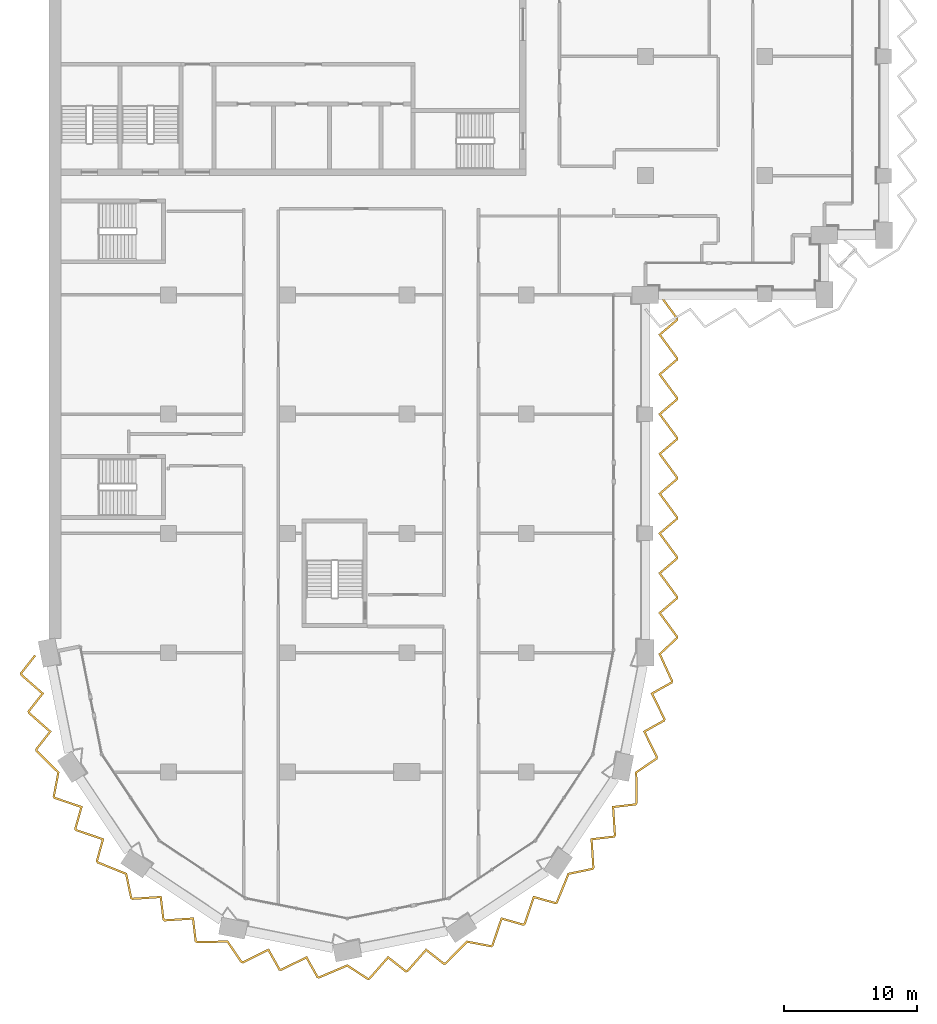
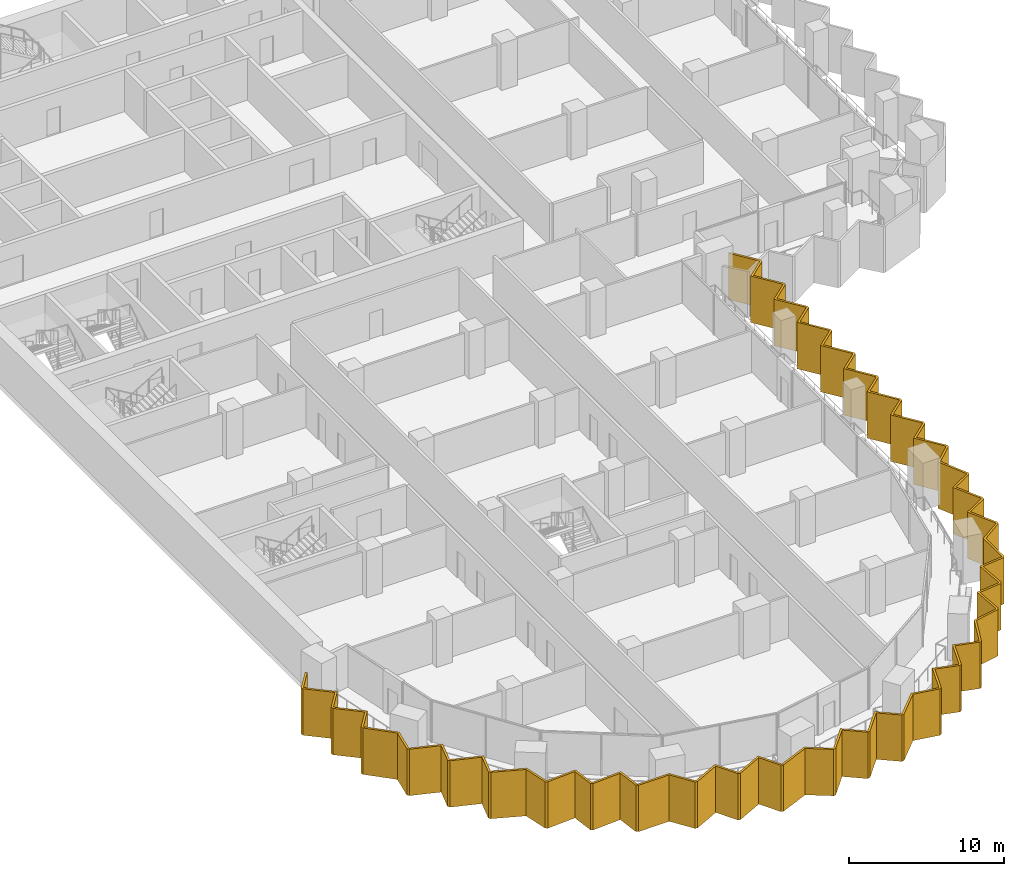
# One storey, part 18 of 22: 1 shading device.
"""IFC4 building model written with IfcOpenShell, lengths in metres."""

from ifc_helpers import new_model, si_unit, direction, frame, origin, place, context, subcontext, project, spatial, polyline, outline, extrude, material, layer, layer_set, type_object, element, save


model = new_model("IFC4")

# Units and contexts
model_context = context("Model", 3, precision=1e-05, world=origin(), true_north=direction((0.0, 1.0)))
body_context = subcontext(model_context, "Body", "Model", "MODEL_VIEW")
ifc_project = project(units=[si_unit("LENGTHUNIT", "METRE"), si_unit("AREAUNIT", "SQUARE_METRE"), si_unit("VOLUMEUNIT", "CUBIC_METRE"), si_unit("PLANEANGLEUNIT", "RADIAN"), si_unit("MASSUNIT", "GRAM", prefix="KILO")], contexts=[model_context])

# Site, building, storey
site_placement = place(None, origin())
site = spatial("IfcSite", under=ifc_project, at=site_placement, CompositionType="ELEMENT")
building_placement = place(site_placement, origin())
building = spatial("IfcBuilding", under=site, at=building_placement, Name="Hunhe Ridgeline Campus", CompositionType="ELEMENT")
storey_placement = place(building_placement, frame((0.0, 0.0, 156.0)))
storey = spatial("IfcBuildingStorey", under=building, at=storey_placement, Name="L39", CompositionType="ELEMENT", Elevation=156.0)

# Shading device
ifc_material = material(Name="Concrete C50", Category="concrete")
ifc_layer = layer(ifc_material, 0.14990234375)
ifc_layer_set = layer_set([ifc_layer], Name="Sawtooth concrete fin 150 Concrete C50")
shading_device_type = type_object("IfcShadingDeviceType", Name="Sawtooth concrete fin 150 Concrete C50", PredefinedType="USERDEFINED", material=ifc_layer_set)
shading_device_placement = place(storey_placement, frame((0.0, 0.0, -0.949951171875)))
element("IfcShadingDevice", 1, at=shading_device_placement, inside=storey, type_object=shading_device_type, Name="Concrete fin screen 1", ObjectType="FIN", PredefinedType="USERDEFINED", context=body_context, shape_type="SweptSolid", body=[
    extrude(outline(polyline([(-0.995361328125, 26.743896484375), (-1.11328125, 26.836669921875), (-2.193359375, 25.468017578125), (-2.158203125, 25.29150390625), (-0.58642578125, 23.91064453125), (-1.622314453125, 22.597900390625), (-1.587158203125, 22.421142578125), (-0.015380859375, 21.04052734375), (-1.051513671875, 19.727783203125), (-1.016845703125, 19.553466796875), (0.618896484375, 17.94482421875), (0.27490234375, 16.131591796875), (0.372802734375, 15.985107421875), (2.353271484375, 15.31103515625), (1.8984375, 13.70166015625), (1.99853515625, 13.552001953125), (3.97900390625, 12.8779296875), (3.524169921875, 11.2685546875), (3.623046875, 11.120849609375), (5.749755859375, 10.260498046875), (6.125732421875, 8.45361328125), (6.272216796875, 8.35595703125), (8.35986328125, 8.490966796875), (8.5556640625, 6.830078125), (8.705322265625, 6.72998046875), (10.79296875, 6.865234375), (10.989013671875, 5.204345703125), (11.13671875, 5.105712890625), (13.4306640625, 5.124755859375), (14.469482421875, 3.599365234375), (14.642333984375, 3.56494140625), (16.519287109375, 4.48876953125), (17.3359375, 3.029296875), (17.512451171875, 2.994140625), (19.389404296875, 3.91796875), (20.2060546875, 2.458251953125), (20.38037109375, 2.423583984375), (22.492431640625, 3.3193359375), (24.035888671875, 2.3076171875), (24.20849609375, 2.341796875), (25.58935546875, 3.91357421875), (26.902099609375, 2.877685546875), (27.078857421875, 2.912841796875), (28.45947265625, 4.484619140625), (29.772216796875, 3.448486328125), (29.946533203125, 3.483154296875), (31.55517578125, 5.118896484375), (33.368408203125, 4.77490234375), (33.514892578125, 4.872802734375), (34.18896484375, 6.853271484375), (35.79833984375, 6.3984375), (35.947998046875, 6.49853515625), (36.6220703125, 8.47900390625), (38.2314453125, 8.024169921875), (38.379150390625, 8.123046875), (39.239501953125, 10.249755859375), (41.04638671875, 10.625732421875), (41.14404296875, 10.772216796875), (41.009033203125, 12.85986328125), (42.669921875, 13.0556640625), (42.77001953125, 13.205322265625), (42.634765625, 15.29296875), (44.295654296875, 15.489013671875), (44.394287109375, 15.63671875), (44.375244140625, 17.9306640625), (45.900634765625, 18.969482421875), (45.93505859375, 19.142333984375), (45.01123046875, 21.019287109375), (46.470703125, 21.8359375), (46.505859375, 22.012451171875), (45.58203125, 23.889404296875), (47.041748046875, 24.7060546875), (47.07666015625, 24.88134765625), (46.16552734375, 26.876220703125), (47.449951171875, 28.07666015625), (47.449951171875, 28.25390625), (46.1767578125, 29.98828125), (47.449951171875, 31.07470703125), (47.449951171875, 31.25390625), (46.1767578125, 32.98828125), (47.449951171875, 34.07470703125), (47.449951171875, 34.25390625), (46.1767578125, 35.98828125), (47.449951171875, 37.07470703125), (47.449951171875, 37.25390625), (46.1767578125, 38.98828125), (47.449951171875, 40.07470703125), (47.449951171875, 40.25390625), (46.1767578125, 41.98828125), (47.449951171875, 43.07470703125), (47.449951171875, 43.25390625), (46.1767578125, 44.98828125), (47.449951171875, 46.07470703125), (47.449951171875, 46.25390625), (46.1767578125, 47.98828125), (47.449951171875, 49.07470703125), (47.449951171875, 49.25390625), (46.1767578125, 50.98828125), (47.449951171875, 52.07470703125), (47.449951171875, 52.25390625), (46.135498046875, 54.04443359375), (46.0146484375, 53.95556640625), (47.300048828125, 52.204833984375), (47.300048828125, 52.143798828125), (45.973388671875, 51.01171875), (47.300048828125, 49.204833984375), (47.300048828125, 49.143798828125), (45.973388671875, 48.01171875), (47.300048828125, 46.204833984375), (47.300048828125, 46.143798828125), (45.973388671875, 45.01171875), (47.300048828125, 43.204833984375), (47.300048828125, 43.143798828125), (45.973388671875, 42.01171875), (47.300048828125, 40.204833984375), (47.300048828125, 40.143798828125), (45.973388671875, 39.01171875), (47.300048828125, 37.204833984375), (47.300048828125, 37.143798828125), (45.973388671875, 36.01171875), (47.300048828125, 34.204833984375), (47.300048828125, 34.143798828125), (45.973388671875, 33.01171875), (47.300048828125, 31.204833984375), (47.300048828125, 31.143798828125), (45.973388671875, 30.01171875), (47.300048828125, 28.204833984375), (47.300048828125, 28.141845703125), (45.984375, 26.912109375), (46.919921875, 24.863037109375), (46.907958984375, 24.80322265625), (45.384765625, 23.950927734375), (46.348876953125, 21.99169921875), (46.337158203125, 21.932861328125), (44.813720703125, 21.080810546875), (45.778076171875, 19.12158203125), (45.765380859375, 19.05908203125), (44.224609375, 18.009521484375), (44.244140625, 15.681640625), (44.20947265625, 15.6298828125), (42.475830078125, 15.42529296875), (42.616943359375, 13.24658203125), (42.58349609375, 13.196533203125), (40.85009765625, 12.9921875), (40.9912109375, 10.813232421875), (40.95556640625, 10.76025390625), (39.13037109375, 10.38037109375), (38.257568359375, 8.22216796875), (38.20556640625, 8.1875), (36.52587890625, 8.662109375), (35.822265625, 6.594970703125), (35.7724609375, 6.561767578125), (34.0927734375, 7.0361328125), (33.38916015625, 4.96923828125), (33.336181640625, 4.93359375), (31.50439453125, 5.28125), (29.8720703125, 3.621337890625), (29.810791015625, 3.609130859375), (28.440673828125, 4.6904296875), (26.99951171875, 3.050048828125), (26.940673828125, 3.038330078125), (25.570556640625, 4.11962890625), (24.12939453125, 2.47900390625), (24.06689453125, 2.466552734375), (22.507568359375, 3.488525390625), (20.3642578125, 2.579833984375), (20.30322265625, 2.592041015625), (19.450927734375, 4.115234375), (17.49169921875, 3.151123046875), (17.432861328125, 3.162841796875), (16.580810546875, 4.686279296875), (14.62158203125, 3.721923828125), (14.55908203125, 3.734619140625), (13.509521484375, 5.275390625), (11.181640625, 5.255859375), (11.1298828125, 5.29052734375), (10.92529296875, 7.024169921875), (8.74658203125, 6.883056640625), (8.696533203125, 6.91650390625), (8.4921875, 8.64990234375), (6.313232421875, 8.5087890625), (6.26025390625, 8.54443359375), (5.88037109375, 10.36962890625), (3.72216796875, 11.242431640625), (3.6875, 11.29443359375), (4.162109375, 12.97412109375), (2.094970703125, 13.677734375), (2.061767578125, 13.7275390625), (2.5361328125, 15.4072265625), (0.46923828125, 16.11083984375), (0.43359375, 16.163818359375), (0.78125, 17.99560546875), (-0.878662109375, 19.6279296875), (-0.890869140625, 19.689208984375), (0.1904296875, 21.059326171875), (-1.449951171875, 22.50048828125), (-1.461669921875, 22.559326171875), (-0.38037109375, 23.929443359375), (-2.02099609375, 25.37060546875), (-2.03271484375, 25.429443359375), (-0.995361328125, 26.743896484375)])), origin(), (0.0, 0.0, 1.0), 3.64990234375),
])

save(model, "model.ifc")
